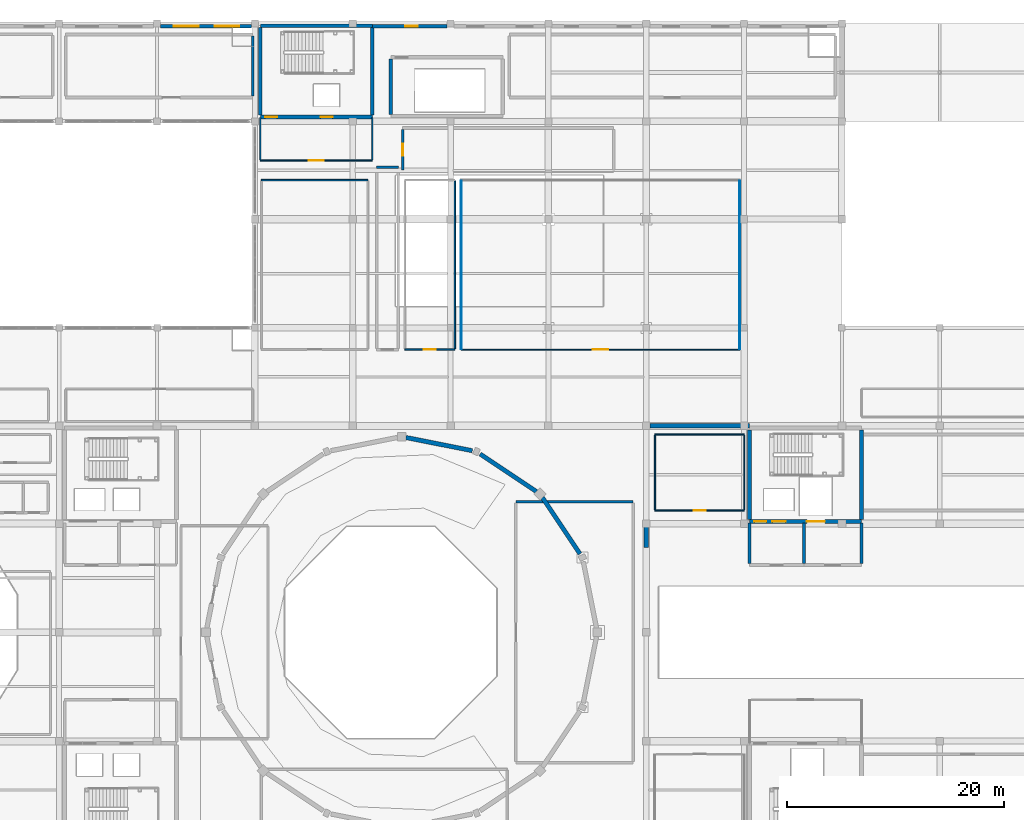
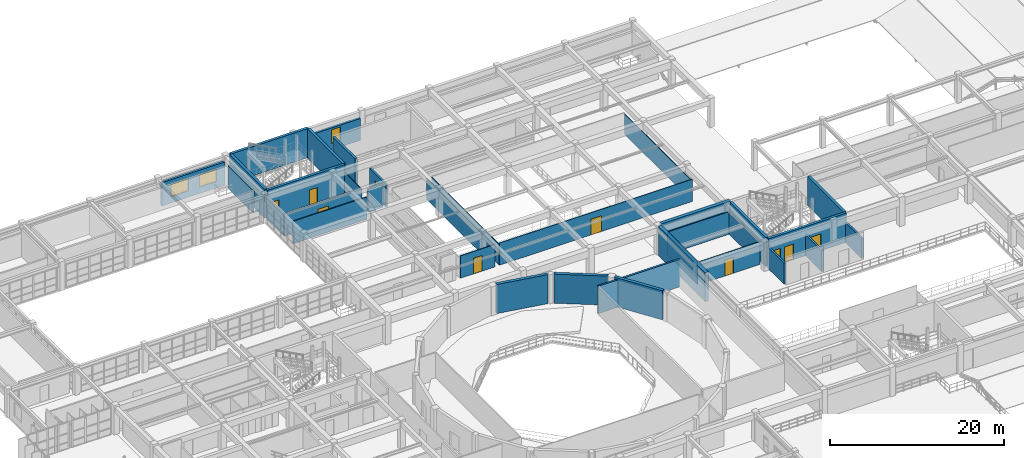
# One storey, part 98 of 110: 35 walls, 10 doors, 3 windows, 13 openings.
"""IFC4 building model written with IfcOpenShell, lengths in metres."""

from ifc_helpers import new_model, si_unit, direction, frame, frame_2d, origin, place, context, subcontext, project, spatial, rectangle, extrude, material, layer, layer_set, type_object, element, fill, save


model = new_model("IFC4")

# Units and contexts
model_context = context("Model", 3, precision=1e-05, world=origin(), true_north=direction((0.0, 1.0)))
body_context = subcontext(model_context, "Body", "Model", "MODEL_VIEW")
ifc_project = project(units=[si_unit("LENGTHUNIT", "METRE"), si_unit("AREAUNIT", "SQUARE_METRE"), si_unit("VOLUMEUNIT", "CUBIC_METRE"), si_unit("PLANEANGLEUNIT", "RADIAN"), si_unit("MASSUNIT", "GRAM", prefix="KILO")], contexts=[model_context])

# Site, building, storey
site_placement = place(None, origin())
site = spatial("IfcSite", under=ifc_project, at=site_placement, CompositionType="ELEMENT")
building_placement = place(site_placement, origin())
building = spatial("IfcBuilding", under=site, at=building_placement, Name="Miravela Opera House", CompositionType="ELEMENT")
storey_placement = place(building_placement, frame((0.0, 0.0, 13.60009765625)))
storey = spatial("IfcBuildingStorey", under=building, at=storey_placement, Name="L03", CompositionType="ELEMENT", Elevation=13.60009765625)

# Wall, openings, windows
ifc_material_1 = material(Name="Insulated cream lime-stuccoed masonry", Category="masonry")
ifc_layer_1 = layer(ifc_material_1, 0.2900390625)
ifc_layer_set_1 = layer_set([ifc_layer_1])
wall_type_1 = type_object("IfcWallType", Name="ARC-EW-STUCCO-290", PredefinedType="STANDARD", material=ifc_layer_set_1)
wall_1_placement = place(storey_placement, frame((54.324951171875, 111.75, 0.0), z_axis=(0.0, 0.0, 1.0), x_axis=(1.0, 0.0, 0.0)))
wall_1 = element("IfcWall", 1, at=wall_1_placement, inside=storey, type_object=wall_type_1, Name="Spanish Colonial Stucco Facade Wall L03-037", PredefinedType="STANDARD", context=body_context, shape_type="SweptSolid", body=[
    extrude(rectangle(XDim=8.35009765625, YDim=0.2900390625, at=frame_2d((4.175048828125, 0.0))), origin(), (0.0, 0.0, 1.0), 3.27685546875),
])
opening_1_placement = place(wall_1_placement, frame((1.22509765625, 0.0, 0.89990234375)))
opening_1 = element("IfcOpeningElement", 2, at=opening_1_placement, cuts=wall_1, Name="Opening W-34", PredefinedType="OPENING", context=body_context, shape_type="SweptSolid", body=[
    extrude(rectangle(XDim=2.280029296875, YDim=1.719970703125, at=frame_2d((1.14013671875, 0.85986328125))), frame((0.0, 0.155029296875, 0.0), z_axis=(0.0, -1.0, 0.0), x_axis=(1.0, 0.0, 0.0)), (0.0, 0.0, 1.0), 0.31005859375),
])
opening_2_placement = place(wall_1_placement, frame((4.969970703125, 0.0, 0.89990234375)))
opening_2 = element("IfcOpeningElement", 3, at=opening_2_placement, cuts=wall_1, Name="Opening W-34", PredefinedType="OPENING", context=body_context, shape_type="SweptSolid", body=[
    extrude(rectangle(XDim=2.280029296875, YDim=1.719970703125, at=frame_2d((1.14013671875, 0.85986328125))), frame((0.0, 0.155029296875, 0.0), z_axis=(0.0, -1.0, 0.0), x_axis=(1.0, 0.0, 0.0)), (0.0, 0.0, 1.0), 0.31005859375),
])
ifc_material_2 = material(Name="Bronze-anodised aluminium and acoustic low-E glass", Category="aluminium")
window_type_1 = type_object("IfcWindowType", Name="ARC-WIN-34", PartitioningType="TRIPLE_PANEL_VERTICAL", PredefinedType="WINDOW", material=ifc_material_2)
window_1_placement = place(opening_1_placement, origin())
window_1 = element("IfcWindow", 4, at=window_1_placement, inside=storey, type_object=window_type_1, Name="Window W-34 #095", OverallHeight=1.719970703125, OverallWidth=2.280029296875, PartitioningType="TRIPLE_PANEL_VERTICAL", PredefinedType="WINDOW", context=body_context, shape_type="SweptSolid", body=[
    extrude(rectangle(XDim=2.280029296875, YDim=1.719970703125, at=frame_2d((1.14013671875, 0.85986328125))), frame((0.0, 0.030029296875, 0.0), z_axis=(0.0, -1.0, 0.0), x_axis=(1.0, 0.0, 0.0)), (0.0, 0.0, 1.0), 0.06005859375),
])
fill(opening_1, window_1)
window_2_placement = place(opening_2_placement, origin())
window_2 = element("IfcWindow", 5, at=window_2_placement, inside=storey, type_object=window_type_1, Name="Window W-34 #096", OverallHeight=1.719970703125, OverallWidth=2.280029296875, PartitioningType="TRIPLE_PANEL_VERTICAL", PredefinedType="WINDOW", context=body_context, shape_type="SweptSolid", body=[
    extrude(rectangle(XDim=2.280029296875, YDim=1.719970703125, at=frame_2d((1.14013671875, 0.85986328125))), frame((0.0, 0.030029296875, 0.0), z_axis=(0.0, -1.0, 0.0), x_axis=(1.0, 0.0, 0.0)), (0.0, 0.0, 1.0), 0.06005859375),
])
fill(opening_2, window_2)

# Wall, opening, window
wall_2_placement = place(storey_placement, frame((73.800048828125, 111.75, 0.0), z_axis=(0.0, 0.0, 1.0), x_axis=(1.0, 0.0, 0.0)))
wall_2 = element("IfcWall", 6, at=wall_2_placement, inside=storey, type_object=wall_type_1, Name="Spanish Colonial Stucco Facade Wall L03-038", PredefinedType="STANDARD", context=body_context, shape_type="SweptSolid", body=[
    extrude(rectangle(XDim=6.875, YDim=0.2900390625, at=frame_2d((3.4375, 0.0))), origin(), (0.0, 0.0, 1.0), 3.06982421875),
])
opening_3_placement = place(wall_2_placement, frame((3.032470703125, 0.0, 0.89990234375)))
opening_3 = element("IfcOpeningElement", 7, at=opening_3_placement, cuts=wall_2, Name="Opening W-35", PredefinedType="OPENING", context=body_context, shape_type="SweptSolid", body=[
    extrude(rectangle(XDim=1.159912109375, YDim=1.89990234375, at=frame_2d((0.580078125, 0.949951171875))), frame((0.0, 0.155029296875, 0.0), z_axis=(0.0, -1.0, 0.0), x_axis=(1.0, 0.0, 0.0)), (0.0, 0.0, 1.0), 0.31005859375),
])
window_type_2 = type_object("IfcWindowType", Name="ARC-WIN-35", PartitioningType="SINGLE_PANEL", PredefinedType="WINDOW", material=ifc_material_2)
window_3_placement = place(opening_3_placement, origin())
window_3 = element("IfcWindow", 8, at=window_3_placement, inside=storey, type_object=window_type_2, Name="Window W-35 #097", OverallHeight=1.89990234375, OverallWidth=1.159912109375, PartitioningType="SINGLE_PANEL", PredefinedType="WINDOW", context=body_context, shape_type="SweptSolid", body=[
    extrude(rectangle(XDim=1.159912109375, YDim=1.89990234375, at=frame_2d((0.580078125, 0.949951171875))), frame((0.0, 0.030029296875, 0.0), z_axis=(0.0, -1.0, 0.0), x_axis=(1.0, 0.0, 0.0)), (0.0, 0.0, 1.0), 0.06005859375),
])
fill(opening_3, window_3)

# Wall, opening, door
ifc_material_3 = material(Name="Acoustic metal-stud gypsum partition")
ifc_layer_2 = layer(ifc_material_3, 0.090087890625)
ifc_layer_set_2 = layer_set([ifc_layer_2])
wall_type_2 = type_object("IfcWallType", Name="ARC-PT-090", PredefinedType="PARTITIONING", material=ifc_layer_set_2)
wall_3_placement = place(storey_placement, frame((82.0, 82.0, 0.0), z_axis=(0.0, 0.0, 1.0), x_axis=(1.0, 0.0, 0.0)))
wall_3 = element("IfcWall", 9, at=wall_3_placement, inside=storey, type_object=wall_type_2, Name="Music Repertoire Library and Reading Hall Partition South", PredefinedType="PARTITIONING", context=body_context, shape_type="SweptSolid", body=[
    extrude(rectangle(XDim=25.60009765625, YDim=0.090087890625, at=frame_2d((12.800048828125, 0.0))), origin(), (0.0, 0.0, 1.0), 3.10986328125),
])
opening_4_placement = place(wall_3_placement, frame((12.10009765625, 0.0, 0.0)))
opening_4 = element("IfcOpeningElement", 10, at=opening_4_placement, cuts=wall_3, Name="Opening FD-03", PredefinedType="OPENING", context=body_context, shape_type="SweptSolid", body=[
    extrude(rectangle(XDim=1.39990234375, YDim=2.199951171875, at=frame_2d((0.699951171875, 1.10009765625))), frame((0.0, 0.054931640625, 0.0), z_axis=(0.0, -1.0, 0.0), x_axis=(1.0, 0.0, 0.0)), (0.0, 0.0, 1.0), 0.110107421875),
])
ifc_material_4 = material(Name="Fire-rated lobby/archive double door")
door_type_1 = type_object("IfcDoorType", Name="ARC-FD-1400X2200", OperationType="NOTDEFINED", PredefinedType="DOOR", material=ifc_material_4)
door_1_placement = place(opening_4_placement, frame((1.39990234375, 0.0, 0.0), z_axis=(0.0, 0.0, 1.0), x_axis=(-1.0, 0.0, 0.0)))
door_1 = element("IfcDoor", 11, at=door_1_placement, inside=storey, type_object=door_type_1, Name="Music Repertoire Library and Reading Hall Entry Door IDR-L03-0276", OperationType="DOUBLE_DOOR_SINGLE_SWING", OverallHeight=2.199951171875, OverallWidth=1.39990234375, PredefinedType="DOOR", context=body_context, shape_type="SweptSolid", body=[
    extrude(rectangle(XDim=1.39990234375, YDim=2.199951171875, at=frame_2d((0.699951171875, 1.10009765625))), frame((0.0, 0.02490234375, 0.0), z_axis=(0.0, -1.0, 0.0), x_axis=(1.0, 0.0, 0.0)), (0.0, 0.0, 1.0), 0.050048828125),
])
fill(opening_4, door_1)

# Walls
wall_4_placement = place(storey_placement, frame((82.0, 82.044921875, 0.0), z_axis=(0.0, 0.0, 1.0), x_axis=(0.0, 1.0, 0.0)))
element("IfcWall", 12, at=wall_4_placement, inside=storey, type_object=wall_type_2, Name="Music Repertoire Library and Reading Hall Partition West", PredefinedType="PARTITIONING", context=body_context, shape_type="SweptSolid", body=[
    extrude(rectangle(XDim=15.510009765625, YDim=0.090087890625, at=frame_2d((7.7548828125, 0.0))), origin(), (0.0, 0.0, 1.0), 2.919921875),
])
wall_5_placement = place(storey_placement, frame((107.60009765625, 82.044921875, 0.0), z_axis=(0.0, 0.0, 1.0), x_axis=(0.0, 1.0, 0.0)))
element("IfcWall", 13, at=wall_5_placement, inside=storey, type_object=wall_type_2, Name="Music Repertoire Library and Reading Hall Partition East", PredefinedType="PARTITIONING", context=body_context, shape_type="SweptSolid", body=[
    extrude(rectangle(XDim=15.510009765625, YDim=0.090087890625, at=frame_2d((7.7548828125, 0.0))), origin(), (0.0, 0.0, 1.0), 2.81982421875),
])

# Wall, opening, door
ifc_material_5 = material(Name="Double-layer acoustic gypsum partition")
ifc_layer_3 = layer(ifc_material_5, 0.110107421875)
ifc_layer_set_3 = layer_set([ifc_layer_3])
wall_type_3 = type_object("IfcWallType", Name="ARC-PT-110", PredefinedType="PARTITIONING", material=ifc_layer_set_3)
wall_6_placement = place(storey_placement, frame((63.5, 99.39990234375, 0.0), z_axis=(0.0, 0.0, 1.0), x_axis=(1.0, 0.0, 0.0)))
wall_6 = element("IfcWall", 14, at=wall_6_placement, inside=storey, type_object=wall_type_3, Name="Passenger Lift Lobby K5 L03 Partition South", PredefinedType="PARTITIONING", context=body_context, shape_type="SweptSolid", body=[
    extrude(rectangle(XDim=10.300048828125, YDim=0.110107421875, at=frame_2d((5.14990234375, 0.0))), origin(), (0.0, 0.0, 1.0), 3.139892578125),
])
opening_5_placement = place(wall_6_placement, frame((4.449951171875, 0.0, 0.0)))
opening_5 = element("IfcOpeningElement", 15, at=opening_5_placement, cuts=wall_6, Name="Opening FD-03", PredefinedType="OPENING", context=body_context, shape_type="SweptSolid", body=[
    extrude(rectangle(XDim=1.39990234375, YDim=2.199951171875, at=frame_2d((0.699951171875, 1.10009765625))), frame((0.0, 0.06494140625, 0.0), z_axis=(0.0, -1.0, 0.0), x_axis=(1.0, 0.0, 0.0)), (0.0, 0.0, 1.0), 0.130126953125),
])
door_2_placement = place(opening_5_placement, frame((1.39990234375, 0.0, 0.0), z_axis=(0.0, 0.0, 1.0), x_axis=(-1.0, 0.0, 0.0)))
door_2 = element("IfcDoor", 16, at=door_2_placement, inside=storey, type_object=door_type_1, Name="Passenger Lift Lobby K5 L03 Entry Door IDR-L03-0266", OperationType="DOUBLE_DOOR_SINGLE_SWING", OverallHeight=2.199951171875, OverallWidth=1.39990234375, PredefinedType="DOOR", context=body_context, shape_type="SweptSolid", body=[
    extrude(rectangle(XDim=1.39990234375, YDim=2.199951171875, at=frame_2d((0.699951171875, 1.10009765625))), frame((0.0, 0.02490234375, 0.0), z_axis=(0.0, -1.0, 0.0), x_axis=(1.0, 0.0, 0.0)), (0.0, 0.0, 1.0), 0.050048828125),
])
fill(opening_5, door_2)

# Walls
wall_7_placement = place(storey_placement, frame((63.5, 99.455078125, 0.0), z_axis=(0.0, 0.0, 1.0), x_axis=(0.0, 1.0, 0.0)))
element("IfcWall", 17, at=wall_7_placement, inside=storey, type_object=wall_type_3, Name="Passenger Lift Lobby K5 L03 Partition West", PredefinedType="PARTITIONING", context=body_context, shape_type="SweptSolid", body=[
    extrude(rectangle(XDim=3.889892578125, YDim=0.110107421875, at=frame_2d((1.94482421875, 0.0))), origin(), (0.0, 0.0, 1.0), 3.06982421875),
])
wall_8_placement = place(storey_placement, frame((73.800048828125, 99.455078125, 0.0), z_axis=(0.0, 0.0, 1.0), x_axis=(0.0, 1.0, 0.0)))
element("IfcWall", 18, at=wall_8_placement, inside=storey, type_object=wall_type_3, Name="Passenger Lift Lobby K5 L03 Partition East", PredefinedType="PARTITIONING", context=body_context, shape_type="SweptSolid", body=[
    extrude(rectangle(XDim=3.889892578125, YDim=0.110107421875, at=frame_2d((1.94482421875, 0.0))), origin(), (0.0, 0.0, 1.0), 2.969970703125),
])

# Wall, opening, door
wall_9_placement = place(storey_placement, frame((99.800048828125, 67.199951171875, 0.0), z_axis=(0.0, 0.0, 1.0), x_axis=(1.0, 0.0, 0.0)))
wall_9 = element("IfcWall", 19, at=wall_9_placement, inside=storey, type_object=wall_type_3, Name="Youth Choir Rehearsal Room Partition South", PredefinedType="PARTITIONING", context=body_context, shape_type="SweptSolid", body=[
    extrude(rectangle(XDim=8.199951171875, YDim=0.110107421875, at=frame_2d((4.10009765625, 0.0))), origin(), (0.0, 0.0, 1.0), 3.169921875),
])
opening_6_placement = place(wall_9_placement, frame((3.550048828125, 0.0, 0.0)))
opening_6 = element("IfcOpeningElement", 20, at=opening_6_placement, cuts=wall_9, Name="Opening ID-03", PredefinedType="OPENING", context=body_context, shape_type="SweptSolid", body=[
    extrude(rectangle(XDim=1.10009765625, YDim=2.199951171875, at=frame_2d((0.550048828125, 1.10009765625))), frame((0.0, 0.06494140625, 0.0), z_axis=(0.0, -1.0, 0.0), x_axis=(1.0, 0.0, 0.0)), (0.0, 0.0, 1.0), 0.130126953125),
])
ifc_material_6 = material(Name="Acoustic hardwood studio door", Category="wood")
door_type_2 = type_object("IfcDoorType", Name="ARC-DR-1100X2200", OperationType="NOTDEFINED", PredefinedType="DOOR", material=ifc_material_6)
door_3_placement = place(opening_6_placement, origin())
door_3 = element("IfcDoor", 21, at=door_3_placement, inside=storey, type_object=door_type_2, Name="Youth Choir Rehearsal Room Entry Door IDR-L03-0296", OperationType="SINGLE_SWING_LEFT", OverallHeight=2.199951171875, OverallWidth=1.10009765625, PredefinedType="DOOR", context=body_context, shape_type="SweptSolid", body=[
    extrude(rectangle(XDim=1.10009765625, YDim=2.199951171875, at=frame_2d((0.550048828125, 1.10009765625))), frame((0.0, 0.02490234375, 0.0), z_axis=(0.0, -1.0, 0.0), x_axis=(1.0, 0.0, 0.0)), (0.0, 0.0, 1.0), 0.050048828125),
])
fill(opening_6, door_3)

# Walls
wall_10_placement = place(storey_placement, frame((99.800048828125, 74.199951171875, 0.0), z_axis=(0.0, 0.0, 1.0), x_axis=(1.0, 0.0, 0.0)))
element("IfcWall", 22, at=wall_10_placement, inside=storey, type_object=wall_type_3, Name="Youth Choir Rehearsal Room Partition North", PredefinedType="PARTITIONING", context=body_context, shape_type="SweptSolid", body=[
    extrude(rectangle(XDim=8.199951171875, YDim=0.110107421875, at=frame_2d((4.10009765625, 0.0))), origin(), (0.0, 0.0, 1.0), 3.169921875),
])
wall_11_placement = place(storey_placement, frame((99.800048828125, 67.2548828125, 0.0), z_axis=(0.0, 0.0, 1.0), x_axis=(0.0, 1.0, 0.0)))
element("IfcWall", 23, at=wall_11_placement, inside=storey, type_object=wall_type_3, Name="Youth Choir Rehearsal Room Partition West", PredefinedType="PARTITIONING", context=body_context, shape_type="SweptSolid", body=[
    extrude(rectangle(XDim=6.89013671875, YDim=0.110107421875, at=frame_2d((3.445068359375, 0.0))), origin(), (0.0, 0.0, 1.0), 3.2119140625),
])
wall_12_placement = place(storey_placement, frame((108.0, 67.2548828125, 0.0), z_axis=(0.0, 0.0, 1.0), x_axis=(0.0, 1.0, 0.0)))
element("IfcWall", 24, at=wall_12_placement, inside=storey, type_object=wall_type_3, Name="Youth Choir Rehearsal Room Partition East", PredefinedType="PARTITIONING", context=body_context, shape_type="SweptSolid", body=[
    extrude(rectangle(XDim=6.89013671875, YDim=0.110107421875, at=frame_2d((3.445068359375, 0.0))), origin(), (0.0, 0.0, 1.0), 3.169921875),
])
ifc_material_7 = material(Name="Fire-rated acoustic gypsum partition")
ifc_layer_4 = layer(ifc_material_7, 0.1298828125)
ifc_layer_set_4 = layer_set([ifc_layer_4])
wall_type_4 = type_object("IfcWallType", Name="ARC-PT-130", PredefinedType="PARTITIONING", material=ifc_layer_set_4)
wall_13_placement = place(storey_placement, frame((63.60009765625, 97.60009765625, 0.0), z_axis=(0.0, 0.0, 1.0), x_axis=(1.0, 0.0, 0.0)))
element("IfcWall", 25, at=wall_13_placement, inside=storey, type_object=wall_type_4, Name="Junior Ballet Academy Rehearsal Studio Partition North", PredefinedType="PARTITIONING", context=body_context, shape_type="SweptSolid", body=[
    extrude(rectangle(XDim=9.7998046875, YDim=0.1298828125, at=frame_2d((4.89990234375, 0.0))), origin(), (0.0, 0.0, 1.0), 3.139892578125),
])

# Wall, opening, door
wall_14_placement = place(storey_placement, frame((76.800048828125, 82.0, 0.0), z_axis=(0.0, 0.0, 1.0), x_axis=(1.0, 0.0, 0.0)))
wall_14 = element("IfcWall", 26, at=wall_14_placement, inside=storey, type_object=wall_type_4, Name="Costume Textile Archive Room Partition South", PredefinedType="PARTITIONING", context=body_context, shape_type="SweptSolid", body=[
    extrude(rectangle(XDim=4.599853515625, YDim=0.1298828125, at=frame_2d((2.2998046875, 0.0))), origin(), (0.0, 0.0, 1.0), 3.139892578125),
])
opening_7_placement = place(wall_14_placement, frame((1.75, 0.0, 0.0)))
opening_7 = element("IfcOpeningElement", 27, at=opening_7_placement, cuts=wall_14, Name="Opening ID-03", PredefinedType="OPENING", context=body_context, shape_type="SweptSolid", body=[
    extrude(rectangle(XDim=1.10009765625, YDim=2.199951171875, at=frame_2d((0.550048828125, 1.10009765625))), frame((0.0, 0.074951171875, 0.0), z_axis=(0.0, -1.0, 0.0), x_axis=(1.0, 0.0, 0.0)), (0.0, 0.0, 1.0), 0.14990234375),
])
door_4_placement = place(opening_7_placement, frame((1.10009765625, 0.0, 0.0), z_axis=(0.0, 0.0, 1.0), x_axis=(-1.0, 0.0, 0.0)))
door_4 = element("IfcDoor", 28, at=door_4_placement, inside=storey, type_object=door_type_2, Name="Costume Textile Archive Room Entry Door IDR-L03-0297", OperationType="SINGLE_SWING_RIGHT", OverallHeight=2.199951171875, OverallWidth=1.10009765625, PredefinedType="DOOR", context=body_context, shape_type="SweptSolid", body=[
    extrude(rectangle(XDim=1.10009765625, YDim=2.199951171875, at=frame_2d((0.550048828125, 1.10009765625))), frame((0.0, 0.02490234375, 0.0), z_axis=(0.0, -1.0, 0.0), x_axis=(1.0, 0.0, 0.0)), (0.0, 0.0, 1.0), 0.050048828125),
])
fill(opening_7, door_4)

# Walls
wall_15_placement = place(storey_placement, frame((81.39990234375, 82.06494140625, 0.0), z_axis=(0.0, 0.0, 1.0), x_axis=(0.0, 1.0, 0.0)))
element("IfcWall", 29, at=wall_15_placement, inside=storey, type_object=wall_type_4, Name="Costume Textile Archive Room Partition East", PredefinedType="PARTITIONING", context=body_context, shape_type="SweptSolid", body=[
    extrude(rectangle(XDim=15.469970703125, YDim=0.1298828125, at=frame_2d((7.73486328125, 0.0))), origin(), (0.0, 0.0, 1.0), 2.919921875),
])
ifc_material_8 = material(Name="High-STC auditorium lobby partition")
ifc_layer_5 = layer(ifc_material_8, 0.22998046875)
ifc_layer_set_5 = layer_set([ifc_layer_5])
wall_type_5 = type_object("IfcWallType", Name="ARC-PT-205", PredefinedType="PARTITIONING", material=ifc_layer_set_5)
wall_16_placement = place(storey_placement, frame((74.199951171875, 98.800048828125, 0.0), z_axis=(0.0, 0.0, 1.0), x_axis=(1.0, 0.0, 0.0)))
element("IfcWall", 30, at=wall_16_placement, inside=storey, type_object=wall_type_5, Name="Orchestral Parts Editing Office Partition North", PredefinedType="PARTITIONING", context=body_context, shape_type="SweptSolid", body=[
    extrude(rectangle(XDim=2.0, YDim=0.22998046875, at=frame_2d((1.0, 0.0))), origin(), (0.0, 0.0, 1.0), 3.219970703125),
])
ifc_material_9 = material(Name="Firefighting lobby compartment wall")
ifc_layer_6 = layer(ifc_material_9, 0.25)
ifc_layer_set_6 = layer_set([ifc_layer_6])
wall_type_6 = type_object("IfcWallType", Name="ARC-PT-220", PredefinedType="PARTITIONING", material=ifc_layer_set_6)
for number, where, z_axis, x_axis, name in (
    (31, (108.5, 62.324951171875, 0.0), (0.0, 0.0, 1.0), (0.0, 1.0, 0.0), "Firefighting Lobby K3 L03 Partition West"),
    (32, (113.5, 62.324951171875, 0.0), (0.0, 0.0, 1.0), (0.0, 1.0, 0.0), "Firefighting Lobby K3 L03 Partition East"),
):
    element("IfcWall", number, at=place(storey_placement, frame(where, z_axis=z_axis, x_axis=x_axis)), inside=storey, type_object=wall_type_6, Name=name, PredefinedType="PARTITIONING", context=body_context, shape_type="SweptSolid", body=[
        extrude(rectangle(XDim=3.75, YDim=0.25, at=frame_2d((1.875, 0.0))), origin(), (0.0, 0.0, 1.0), 2.969970703125),
    ])
wall_17_placement = place(storey_placement, frame((118.800048828125, 62.324951171875, 0.0), z_axis=(0.0, 0.0, 1.0), x_axis=(0.0, 1.0, 0.0)))
element("IfcWall", 33, at=wall_17_placement, inside=storey, type_object=wall_type_6, Name="Passenger Lift Lobby K3 L03 Partition East", PredefinedType="PARTITIONING", context=body_context, shape_type="SweptSolid", body=[
    extrude(rectangle(XDim=3.75, YDim=0.25, at=frame_2d((1.875, 0.0))), origin(), (0.0, 0.0, 1.0), 2.81982421875),
])
wall_18_placement = place(storey_placement, frame((87.0, 68.0, 0.0), z_axis=(0.0, 0.0, 1.0), x_axis=(1.0, 0.0, 0.0)))
element("IfcWall", 34, at=wall_18_placement, inside=storey, type_object=wall_type_6, Name="Opera Auditorium Upper Circle Partition North", PredefinedType="PARTITIONING", context=body_context, shape_type="SweptSolid", body=[
    extrude(rectangle(XDim=10.800048828125, YDim=0.25, at=frame_2d((5.39990234375, 0.0))), origin(), (0.0, 0.0, 1.0), 3.83984375),
])
wall_19_placement = place(storey_placement, frame((62.800048828125, 105.324951171875, 0.0), z_axis=(0.0, 0.0, 1.0), x_axis=(0.0, 1.0, 0.0)))
element("IfcWall", 35, at=wall_19_placement, inside=storey, type_object=wall_type_6, Name="Corps de Ballet Sprung Studio 2 Partition East", PredefinedType="PARTITIONING", context=body_context, shape_type="SweptSolid", body=[
    extrude(rectangle(XDim=5.550048828125, YDim=0.25, at=frame_2d((2.77490234375, 0.0))), origin(), (0.0, 0.0, 1.0), 3.169921875),
])

# Wall, opening, door
wall_20_placement = place(storey_placement, frame((76.60009765625, 98.52490234375, 0.0), z_axis=(0.0, 0.0, 1.0), x_axis=(0.0, 1.0, 0.0)))
wall_20 = element("IfcWall", 36, at=wall_20_placement, inside=storey, type_object=wall_type_6, Name="Libretto Digitization and Archival Studio Partition West", PredefinedType="PARTITIONING", context=body_context, shape_type="SweptSolid", body=[
    extrude(rectangle(XDim=3.75, YDim=0.25, at=frame_2d((1.875, 0.0))), origin(), (0.0, 0.0, 1.0), 3.219970703125),
])
opening_8_placement = place(wall_20_placement, frame((1.324951171875, 0.0, 0.0)))
opening_8 = element("IfcOpeningElement", 37, at=opening_8_placement, cuts=wall_20, Name="Opening ID-03", PredefinedType="OPENING", context=body_context, shape_type="SweptSolid", body=[
    extrude(rectangle(XDim=1.10009765625, YDim=2.199951171875, at=frame_2d((0.550048828125, 1.10009765625))), frame((0.0, 0.135009765625, 0.0), z_axis=(0.0, -1.0, 0.0), x_axis=(1.0, 0.0, 0.0)), (0.0, 0.0, 1.0), 0.27001953125),
])
door_5_placement = place(opening_8_placement, origin())
door_5 = element("IfcDoor", 38, at=door_5_placement, inside=storey, type_object=door_type_2, Name="Libretto Digitization and Archival Studio Entry Door IDR-L03-0294", OperationType="SINGLE_SWING_LEFT", OverallHeight=2.199951171875, OverallWidth=1.10009765625, PredefinedType="DOOR", context=body_context, shape_type="SweptSolid", body=[
    extrude(rectangle(XDim=1.10009765625, YDim=2.199951171875, at=frame_2d((0.550048828125, 1.10009765625))), frame((0.0, 0.02490234375, 0.0), z_axis=(0.0, -1.0, 0.0), x_axis=(1.0, 0.0, 0.0)), (0.0, 0.0, 1.0), 0.050048828125),
])
fill(opening_8, door_5)

# Wall, openings, doors
ifc_material_10 = material(Name="Concrete C40/50", Category="concrete")
ifc_layer_7 = layer(ifc_material_10, 0.35009765625)
ifc_layer_set_7 = layer_set([ifc_layer_7])
wall_type_7 = type_object("IfcWallType", Name="STR-WALL-CORE-350", PredefinedType="SHEAR", material=ifc_layer_set_7)
wall_21_placement = place(storey_placement, frame((108.5, 66.199951171875, 0.0), z_axis=(0.0, 0.0, 1.0), x_axis=(1.0, 0.0, 0.0)))
wall_21 = element("IfcWall", 39, at=wall_21_placement, inside=storey, type_object=wall_type_7, Name="Core K3 Shear Wall South (L03)", PredefinedType="SHEAR", context=body_context, shape_type="SweptSolid", body=[
    extrude(rectangle(XDim=10.300048828125, YDim=0.35009765625, at=frame_2d((5.14990234375, 0.0))), origin(), (0.0, 0.0, 1.0), 4.079833984375),
])
opening_9_placement = place(wall_21_placement, frame((0.449951171875, 0.0, 0.0)))
opening_9 = element("IfcOpeningElement", 40, at=opening_9_placement, cuts=wall_21, Name="Opening FD-01", PredefinedType="OPENING", context=body_context, shape_type="SweptSolid", body=[
    extrude(rectangle(XDim=1.10009765625, YDim=2.199951171875, at=frame_2d((0.550048828125, 1.10009765625))), frame((0.0, 0.18505859375, 0.0), z_axis=(0.0, -1.0, 0.0), x_axis=(1.0, 0.0, 0.0)), (0.0, 0.0, 1.0), 0.3701171875),
])
opening_10_placement = place(wall_21_placement, frame((2.090087890625, 0.0, 0.0)))
opening_10 = element("IfcOpeningElement", 41, at=opening_10_placement, cuts=wall_21, Name="Opening LD-01", PredefinedType="OPENING", context=body_context, shape_type="SweptSolid", body=[
    extrude(rectangle(XDim=1.219970703125, YDim=2.199951171875, at=frame_2d((0.60986328125, 1.10009765625))), frame((0.0, 0.18505859375, 0.0), z_axis=(0.0, -1.0, 0.0), x_axis=(1.0, 0.0, 0.0)), (0.0, 0.0, 1.0), 0.3701171875),
])
opening_11_placement = place(wall_21_placement, frame((5.27490234375, 0.0, 0.0)))
opening_11 = element("IfcOpeningElement", 42, at=opening_11_placement, cuts=wall_21, Name="Opening LD-03", PredefinedType="OPENING", context=body_context, shape_type="SweptSolid", body=[
    extrude(rectangle(XDim=1.64990234375, YDim=2.340087890625, at=frame_2d((0.824951171875, 1.169921875))), frame((0.0, 0.18505859375, 0.0), z_axis=(0.0, -1.0, 0.0), x_axis=(1.0, 0.0, 0.0)), (0.0, 0.0, 1.0), 0.3701171875),
])
ifc_material_11 = material(Name="Fire-rated steel/hardwood exit stair door", Category="steel")
door_type_3 = type_object("IfcDoorType", Name="ARC-FD-1100X2200", OperationType="NOTDEFINED", PredefinedType="DOOR", material=ifc_material_11)
door_6_placement = place(opening_9_placement, origin())
door_6 = element("IfcDoor", 43, at=door_6_placement, inside=storey, type_object=door_type_3, Name="Exit Stair ST-03 Rated Door (L03) IDR-L03-0020", OperationType="SINGLE_SWING_RIGHT", OverallHeight=2.199951171875, OverallWidth=1.10009765625, PredefinedType="DOOR", context=body_context, shape_type="SweptSolid", body=[
    extrude(rectangle(XDim=1.10009765625, YDim=2.199951171875, at=frame_2d((0.550048828125, 1.10009765625))), frame((0.0, 0.02490234375, 0.0), z_axis=(0.0, -1.0, 0.0), x_axis=(1.0, 0.0, 0.0)), (0.0, 0.0, 1.0), 0.050048828125),
])
fill(opening_9, door_6)
ifc_material_12 = material(Name="Brushed stainless and bronze fire-rated lift landing door")
door_type_4 = type_object("IfcDoorType", Name="ARC-LD-FFL-1200X2200", OperationType="SLIDING_TO_LEFT", PredefinedType="DOOR", material=ifc_material_12)
door_7_placement = place(opening_10_placement, origin())
door_7 = element("IfcDoor", 44, at=door_7_placement, inside=storey, type_object=door_type_4, Name="Lift Landing Door FFL-02 (L03)", OperationType="SLIDING_TO_LEFT", OverallHeight=2.199951171875, OverallWidth=1.219970703125, PredefinedType="DOOR", context=body_context, shape_type="SweptSolid", body=[
    extrude(rectangle(XDim=1.219970703125, YDim=2.199951171875, at=frame_2d((0.60986328125, 1.10009765625))), frame((0.0, 0.02490234375, 0.0), z_axis=(0.0, -1.0, 0.0), x_axis=(1.0, 0.0, 0.0)), (0.0, 0.0, 1.0), 0.050048828125),
])
fill(opening_10, door_7)
door_type_5 = type_object("IfcDoorType", Name="ARC-LD-FRT-1650X2350", OperationType="SLIDING_TO_LEFT", PredefinedType="DOOR", material=ifc_material_12)
door_8_placement = place(opening_11_placement, origin())
door_8 = element("IfcDoor", 45, at=door_8_placement, inside=storey, type_object=door_type_5, Name="Lift Landing Door FL-01 (L03)", OperationType="SLIDING_TO_LEFT", OverallHeight=2.340087890625, OverallWidth=1.64990234375, PredefinedType="DOOR", context=body_context, shape_type="SweptSolid", body=[
    extrude(rectangle(XDim=1.64990234375, YDim=2.340087890625, at=frame_2d((0.824951171875, 1.169921875))), frame((0.0, 0.02490234375, 0.0), z_axis=(0.0, -1.0, 0.0), x_axis=(1.0, 0.0, 0.0)), (0.0, 0.0, 1.0), 0.050048828125),
])
fill(opening_11, door_8)

# Walls
for number, where, z_axis, x_axis, name in (
    (46, (108.5, 66.375, 0.0), (0.0, 0.0, 1.0), (0.0, 1.0, 0.0), "Core K3 Shear Wall West (L03)"),
    (47, (118.800048828125, 66.375, 0.0), (0.0, 0.0, 1.0), (0.0, 1.0, 0.0), "Core K3 Shear Wall East (L03)"),
):
    element("IfcWall", number, at=place(storey_placement, frame(where, z_axis=z_axis, x_axis=x_axis)), inside=storey, type_object=wall_type_7, Name=name, PredefinedType="SHEAR", context=body_context, shape_type="SweptSolid", body=[
        extrude(rectangle(XDim=8.25, YDim=0.35009765625, at=frame_2d((4.125, 0.0))), origin(), (0.0, 0.0, 1.0), 4.079833984375),
    ])

# Wall, openings, doors
wall_22_placement = place(storey_placement, frame((63.5, 103.39990234375, 0.0), z_axis=(0.0, 0.0, 1.0), x_axis=(1.0, 0.0, 0.0)))
wall_22 = element("IfcWall", 48, at=wall_22_placement, inside=storey, type_object=wall_type_7, Name="Core K5 Shear Wall South (L03)", PredefinedType="SHEAR", context=body_context, shape_type="SweptSolid", body=[
    extrude(rectangle(XDim=10.300048828125, YDim=0.35009765625, at=frame_2d((5.14990234375, 0.0))), origin(), (0.0, 0.0, 1.0), 4.079833984375),
])
opening_12_placement = place(wall_22_placement, frame((0.449951171875, 0.0, 0.0)))
opening_12 = element("IfcOpeningElement", 49, at=opening_12_placement, cuts=wall_22, Name="Opening FD-01", PredefinedType="OPENING", context=body_context, shape_type="SweptSolid", body=[
    extrude(rectangle(XDim=1.10009765625, YDim=2.199951171875, at=frame_2d((0.550048828125, 1.10009765625))), frame((0.0, 0.18505859375, 0.0), z_axis=(0.0, -1.0, 0.0), x_axis=(1.0, 0.0, 0.0)), (0.0, 0.0, 1.0), 0.3701171875),
])
opening_13_placement = place(wall_22_placement, frame((5.5400390625, 0.0, 0.0)))
opening_13 = element("IfcOpeningElement", 50, at=opening_13_placement, cuts=wall_22, Name="Opening LD-02", PredefinedType="OPENING", context=body_context, shape_type="SweptSolid", body=[
    extrude(rectangle(XDim=1.1201171875, YDim=2.159912109375, at=frame_2d((0.56005859375, 1.080078125))), frame((0.0, 0.18505859375, 0.0), z_axis=(0.0, -1.0, 0.0), x_axis=(1.0, 0.0, 0.0)), (0.0, 0.0, 1.0), 0.3701171875),
])
door_9_placement = place(opening_12_placement, origin())
door_9 = element("IfcDoor", 51, at=door_9_placement, inside=storey, type_object=door_type_3, Name="Exit Stair ST-05 Rated Door (L03) IDR-L03-0034", OperationType="SINGLE_SWING_RIGHT", OverallHeight=2.199951171875, OverallWidth=1.10009765625, PredefinedType="DOOR", context=body_context, shape_type="SweptSolid", body=[
    extrude(rectangle(XDim=1.10009765625, YDim=2.199951171875, at=frame_2d((0.550048828125, 1.10009765625))), frame((0.0, 0.02490234375, 0.0), z_axis=(0.0, -1.0, 0.0), x_axis=(1.0, 0.0, 0.0)), (0.0, 0.0, 1.0), 0.050048828125),
])
fill(opening_12, door_9)
door_type_6 = type_object("IfcDoorType", Name="ARC-LD-PAX-1100X2150", OperationType="SLIDING_TO_LEFT", PredefinedType="DOOR", material=ifc_material_12)
door_10_placement = place(opening_13_placement, origin())
door_10 = element("IfcDoor", 52, at=door_10_placement, inside=storey, type_object=door_type_6, Name="Lift Landing Door PL-04 (L03)", OperationType="SLIDING_TO_LEFT", OverallHeight=2.159912109375, OverallWidth=1.1201171875, PredefinedType="DOOR", context=body_context, shape_type="SweptSolid", body=[
    extrude(rectangle(XDim=1.1201171875, YDim=2.159912109375, at=frame_2d((0.56005859375, 1.080078125))), frame((0.0, 0.02490234375, 0.0), z_axis=(0.0, -1.0, 0.0), x_axis=(1.0, 0.0, 0.0)), (0.0, 0.0, 1.0), 0.050048828125),
])
fill(opening_13, door_10)

# Walls
wall_23_placement = place(storey_placement, frame((63.5, 111.800048828125, 0.0), z_axis=(0.0, 0.0, 1.0), x_axis=(1.0, 0.0, 0.0)))
element("IfcWall", 53, at=wall_23_placement, inside=storey, type_object=wall_type_7, Name="Core K5 Shear Wall North (L03)", PredefinedType="SHEAR", context=body_context, shape_type="SweptSolid", body=[
    extrude(rectangle(XDim=10.300048828125, YDim=0.35009765625, at=frame_2d((5.14990234375, 0.0))), origin(), (0.0, 0.0, 1.0), 4.079833984375),
])
for number, where, z_axis, x_axis, name in (
    (54, (63.5, 103.574951171875, 0.0), (0.0, 0.0, 1.0), (0.0, 1.0, 0.0), "Core K5 Shear Wall West (L03)"),
    (55, (73.800048828125, 103.574951171875, 0.0), (0.0, 0.0, 1.0), (0.0, 1.0, 0.0), "Core K5 Shear Wall East (L03)"),
):
    element("IfcWall", number, at=place(storey_placement, frame(where, z_axis=z_axis, x_axis=x_axis)), inside=storey, type_object=wall_type_7, Name=name, PredefinedType="SHEAR", context=body_context, shape_type="SweptSolid", body=[
        extrude(rectangle(XDim=8.050048828125, YDim=0.35009765625, at=frame_2d((4.02490234375, 0.0))), origin(), (0.0, 0.0, 1.0), 4.079833984375),
    ])
ifc_layer_8 = layer(ifc_material_10, 0.39990234375)
ifc_layer_set_8 = layer_set([ifc_layer_8])
wall_type_8 = type_object("IfcWallType", Name="STR-WALL-DRUM-400", PredefinedType="SHEAR", material=ifc_layer_set_8)
for number, where, z_axis, x_axis, name in (
    (56, (92.90771484375, 63.220947265625, 0.0), (0.0, 0.0, 1.0), (-0.555587101324, 0.831458341015, 0.0), "Auditorium Drum Shear Wall L03 Seg 2"),
    (57, (88.895263671875, 68.9501953125, 0.0), (0.0, 0.0, 1.0), (-0.831458341015, 0.555587101324, 0.0), "Auditorium Drum Shear Wall L03 Seg 3"),
):
    element("IfcWall", number, at=place(storey_placement, frame(where, z_axis=z_axis, x_axis=x_axis)), inside=storey, type_object=wall_type_8, Name=name, PredefinedType="SHEAR", context=body_context, shape_type="SweptSolid", body=[
        extrude(rectangle(XDim=6.22314453125, YDim=0.39990234375, at=frame_2d((3.111572265625, 0.0))), origin(), (0.0, 0.0, 1.0), 4.079833984375),
    ])
wall_24_placement = place(storey_placement, frame((82.99609375, 72.707763671875, 0.0), z_axis=(0.0, 0.0, 1.0), x_axis=(-0.980777834218, 0.195127752786, 0.0)))
element("IfcWall", 58, at=wall_24_placement, inside=storey, type_object=wall_type_8, Name="Auditorium Drum Shear Wall L03 Seg 4", PredefinedType="SHEAR", context=body_context, shape_type="SweptSolid", body=[
    extrude(rectangle(XDim=6.223388671875, YDim=0.39990234375, at=frame_2d((3.11181640625, 0.0))), origin(), (0.0, 0.0, 1.0), 4.079833984375),
])
ifc_layer_9 = layer(ifc_material_10, 0.449951171875)
ifc_layer_set_9 = layer_set([ifc_layer_9])
wall_type_9 = type_object("IfcWallType", Name="STR-WALL-PROSC-450", PredefinedType="SHEAR", material=ifc_layer_set_9)
wall_25_placement = place(storey_placement, frame((99.0, 63.800048828125, 0.0), z_axis=(0.0, 0.0, 1.0), x_axis=(0.0, 1.0, 0.0)))
element("IfcWall", 59, at=wall_25_placement, inside=storey, type_object=wall_type_9, Name="Proscenium Shear Wall North (L03)", PredefinedType="SHEAR", context=body_context, shape_type="SweptSolid", body=[
    extrude(rectangle(XDim=10.75, YDim=0.449951171875, at=frame_2d((5.375, 0.0))), origin(), (0.0, 0.0, 1.0), 4.079833984375),
])
wall_26_placement = place(storey_placement, frame((99.35009765625, 75.0, 0.0), z_axis=(0.0, 0.0, 1.0), x_axis=(1.0, 0.0, 0.0)))
element("IfcWall", 60, at=wall_26_placement, inside=storey, type_object=wall_type_9, Name="Stage House North Shear Wall W (L03)", PredefinedType="SHEAR", context=body_context, shape_type="SweptSolid", body=[
    extrude(rectangle(XDim=9.14990234375, YDim=0.449951171875, at=frame_2d((4.574951171875, 0.0))), origin(), (0.0, 0.0, 1.0), 4.079833984375),
])
ifc_material_13 = material(Name="Concrete C35/45", Category="concrete")
ifc_layer_10 = layer(ifc_material_13, 0.300048828125)
ifc_layer_set_10 = layer_set([ifc_layer_10])
wall_type_10 = type_object("IfcWallType", Name="STR-WALL-WING-300", PredefinedType="SHEAR", material=ifc_layer_set_10)
wall_27_placement = place(storey_placement, frame((75.5, 103.64990234375, 0.0), z_axis=(0.0, 0.0, 1.0), x_axis=(0.0, 1.0, 0.0)))
element("IfcWall", 61, at=wall_27_placement, inside=storey, type_object=wall_type_10, Name="Core ST-07 Shear Wall West (L03)", PredefinedType="SHEAR", context=body_context, shape_type="SweptSolid", body=[
    extrude(rectangle(XDim=5.10009765625, YDim=0.300048828125, at=frame_2d((2.550048828125, 0.0))), origin(), (0.0, 0.0, 1.0), 4.079833984375),
])

save(model, "model.ifc")
